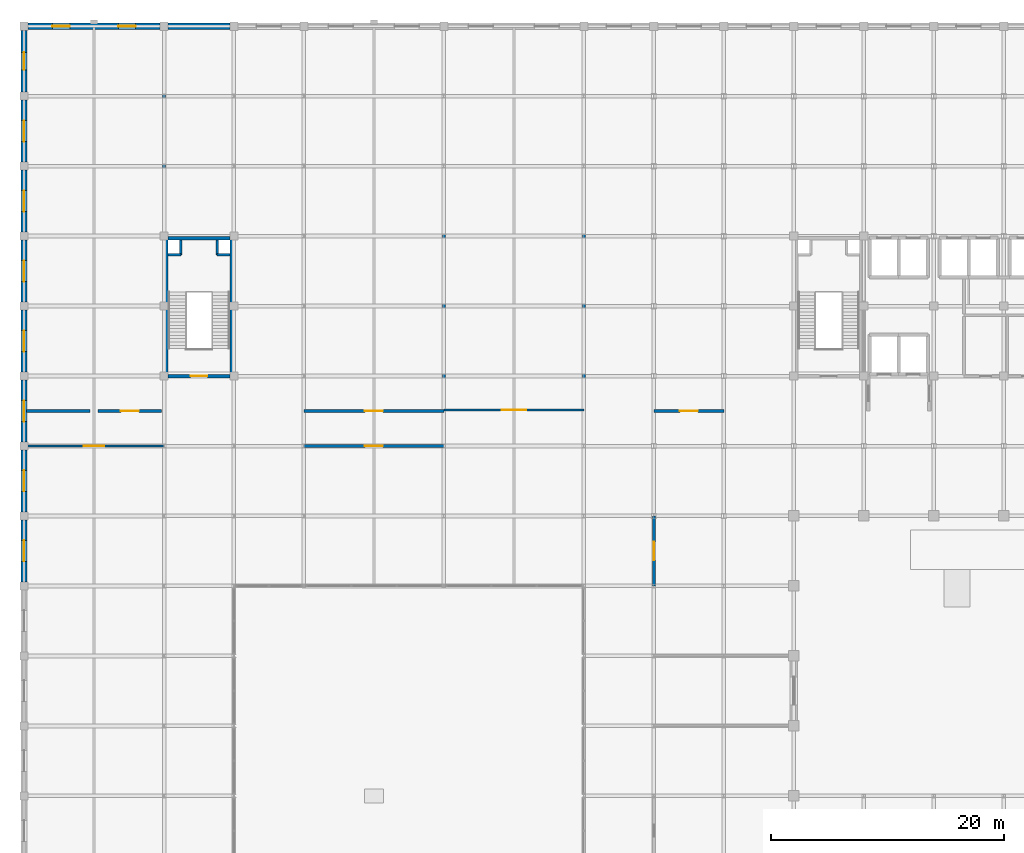
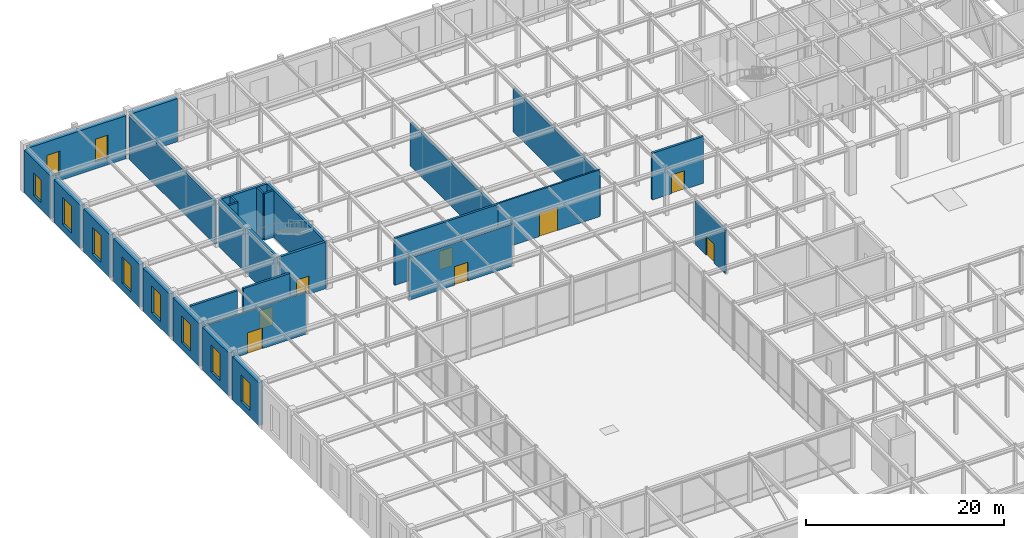
# One storey, part 100 of 108: 29 walls, 10 windows, 8 doors, 18 openings.
"""IFC4 building model written with IfcOpenShell, lengths in metres."""

from ifc_helpers import new_model, si_unit, direction, frame, frame_2d, origin, place, context, subcontext, project, spatial, rectangle, extrude, material, layer, layer_set, type_object, element, fill, save


model = new_model("IFC4")

# Units and contexts
model_context = context("Model", 3, precision=1e-05, world=origin(), true_north=direction((0.0, 1.0)))
body_context = subcontext(model_context, "Body", "Model", "MODEL_VIEW")
ifc_project = project(units=[si_unit("LENGTHUNIT", "METRE"), si_unit("AREAUNIT", "SQUARE_METRE"), si_unit("VOLUMEUNIT", "CUBIC_METRE"), si_unit("PLANEANGLEUNIT", "RADIAN"), si_unit("MASSUNIT", "GRAM", prefix="KILO")], contexts=[model_context])

# Site, building, storey
site_placement = place(None, origin())
site = spatial("IfcSite", under=ifc_project, at=site_placement, CompositionType="ELEMENT")
building_placement = place(site_placement, origin())
building = spatial("IfcBuilding", under=site, at=building_placement, Name="Zlatovratsky Civic Hall", CompositionType="ELEMENT")
storey_placement = place(building_placement, frame((0.0, 0.0, 6.0)))
storey = spatial("IfcBuildingStorey", under=building, at=storey_placement, Name="L02", CompositionType="ELEMENT", Elevation=6.0)

# Wall, opening, door
ifc_material_1 = material(Name="Acoustic ceramic blockwork", Category="masonry")
ifc_layer_1 = layer(ifc_material_1, 0.179931640625)
ifc_layer_set_1 = layer_set([ifc_layer_1], Name="Acoustic ceramic blockwork")
wall_type_1 = type_object("IfcWallType", Name="Wall_AcousticChamberPartition_180", PredefinedType="PARTITIONING", material=ifc_layer_set_1)
wall_1_placement = place(storey_placement, frame((0.0, 78.0, 0.0), z_axis=(0.0, 0.0, 1.0), x_axis=(1.0, 0.0, 0.0)))
wall_1 = element("IfcWall", 1, at=wall_1_placement, inside=storey, type_object=wall_type_1, Name="WL-6125", PredefinedType="PARTITIONING", context=body_context, shape_type="SweptSolid", body=[
    extrude(rectangle(XDim=12.0, YDim=0.179931640625, at=frame_2d((6.0, 0.0))), origin(), (0.0, 0.0, 1.0), 5.177978515625),
])
opening_1_placement = place(wall_1_placement, frame((5.125, 0.0, 0.0)))
opening_1 = element("IfcOpeningElement", 2, at=opening_1_placement, cuts=wall_1, Name="Opening D-13", PredefinedType="OPENING", context=body_context, shape_type="SweptSolid", body=[
    extrude(rectangle(XDim=1.75, YDim=2.550048828125, at=frame_2d((0.875, 1.27490234375))), frame((0.0, 0.10498046875, 0.0), z_axis=(0.0, -1.0, 0.0), x_axis=(1.0, 0.0, 0.0)), (0.0, 0.0, 1.0), 0.209716796875),
])
ifc_material_2 = material(Name="Solid oak joinery in steel frame", Category="steel")
door_type_1 = type_object("IfcDoorType", Name="Door_CommitteeSuiteDouble_1750x2550", OperationType="DOUBLE_DOOR_SINGLE_SWING", PredefinedType="DOOR", material=ifc_material_2)
door_1_placement = place(opening_1_placement, origin())
door_1 = element("IfcDoor", 3, at=door_1_placement, inside=storey, type_object=door_type_1, Name="DR-5266", OperationType="DOUBLE_DOOR_SINGLE_SWING", OverallHeight=2.550048828125, OverallWidth=1.75, PredefinedType="DOOR", context=body_context, shape_type="SweptSolid", body=[
    extrude(rectangle(XDim=1.75, YDim=2.550048828125, at=frame_2d((0.875, 1.27490234375))), frame((0.0, 0.02490234375, 0.0), z_axis=(0.0, -1.0, 0.0), x_axis=(1.0, 0.0, 0.0)), (0.0, 0.0, 1.0), 0.050048828125),
])
fill(opening_1, door_1)

wall_2_placement = place(storey_placement, frame((36.0, 81.10009765625, 0.0), z_axis=(0.0, 0.0, 1.0), x_axis=(1.0, 0.0, 0.0)))
wall_2 = element("IfcWall", 4, at=wall_2_placement, inside=storey, type_object=wall_type_1, Name="WL-6127", PredefinedType="PARTITIONING", context=body_context, shape_type="SweptSolid", body=[
    extrude(rectangle(XDim=12.0, YDim=0.179931640625, at=frame_2d((6.0, 0.0))), origin(), (0.0, 0.0, 1.0), 5.760009765625),
])
opening_2_placement = place(wall_2_placement, frame((4.949951171875, 0.0, 0.0)))
opening_2 = element("IfcOpeningElement", 5, at=opening_2_placement, cuts=wall_2, Name="Opening D-11", PredefinedType="OPENING", context=body_context, shape_type="SweptSolid", body=[
    extrude(rectangle(XDim=2.10009765625, YDim=2.89990234375, at=frame_2d((1.050048828125, 1.449951171875))), frame((0.0, 0.10498046875, 0.0), z_axis=(0.0, -1.0, 0.0), x_axis=(1.0, 0.0, 0.0)), (0.0, 0.0, 1.0), 0.209716796875),
])
door_type_2 = type_object("IfcDoorType", Name="Door_ChamberFoyerDouble_2100x2900", OperationType="DOUBLE_DOOR_SINGLE_SWING", PredefinedType="DOOR", material=ifc_material_2)
door_2_placement = place(opening_2_placement, origin())
door_2 = element("IfcDoor", 6, at=door_2_placement, inside=storey, type_object=door_type_2, Name="DR-5268", OperationType="DOUBLE_DOOR_SINGLE_SWING", OverallHeight=2.89990234375, OverallWidth=2.10009765625, PredefinedType="DOOR", context=body_context, shape_type="SweptSolid", body=[
    extrude(rectangle(XDim=2.10009765625, YDim=2.89990234375, at=frame_2d((1.050048828125, 1.449951171875))), frame((0.0, 0.02490234375, 0.0), z_axis=(0.0, -1.0, 0.0), x_axis=(1.0, 0.0, 0.0)), (0.0, 0.0, 1.0), 0.050048828125),
])
fill(opening_2, door_2)

ifc_layer_2 = layer(ifc_material_1, 0.260009765625)
ifc_layer_set_2 = layer_set([ifc_layer_2], Name="Acoustic ceramic blockwork")
wall_type_2 = type_object("IfcWallType", Name="Wall_ArchiveCompartment_260", PredefinedType="PARTITIONING", material=ifc_layer_set_2)
wall_3_placement = place(storey_placement, frame((24.0, 78.0, 0.0), z_axis=(0.0, 0.0, 1.0), x_axis=(1.0, 0.0, 0.0)))
wall_3 = element("IfcWall", 7, at=wall_3_placement, inside=storey, type_object=wall_type_2, Name="WL-6131", PredefinedType="PARTITIONING", context=body_context, shape_type="SweptSolid", body=[
    extrude(rectangle(XDim=12.0, YDim=0.260009765625, at=frame_2d((6.0, 0.0))), origin(), (0.0, 0.0, 1.0), 5.177978515625),
])
opening_3_placement = place(wall_3_placement, frame((5.22509765625, 0.0, 0.0)))
opening_3 = element("IfcOpeningElement", 8, at=opening_3_placement, cuts=wall_3, Name="Opening D-15", PredefinedType="OPENING", context=body_context, shape_type="SweptSolid", body=[
    extrude(rectangle(XDim=1.550048828125, YDim=2.300048828125, at=frame_2d((0.77490234375, 1.14990234375))), frame((0.0, 0.14501953125, 0.0), z_axis=(0.0, -1.0, 0.0), x_axis=(1.0, 0.0, 0.0)), (0.0, 0.0, 1.0), 0.289794921875),
])
ifc_material_3 = material(Name="Insulated painted fire-rated steel leaf", Category="steel")
door_type_3 = type_object("IfcDoorType", Name="Door_CompactArchiveFire_1550x2300", OperationType="DOUBLE_DOOR_SINGLE_SWING", PredefinedType="DOOR", material=ifc_material_3)
door_3_placement = place(opening_3_placement, origin())
door_3 = element("IfcDoor", 9, at=door_3_placement, inside=storey, type_object=door_type_3, Name="DR-5272", OperationType="DOUBLE_DOOR_SINGLE_SWING", OverallHeight=2.300048828125, OverallWidth=1.550048828125, PredefinedType="DOOR", context=body_context, shape_type="SweptSolid", body=[
    extrude(rectangle(XDim=1.550048828125, YDim=2.300048828125, at=frame_2d((0.77490234375, 1.14990234375))), frame((0.0, 0.02490234375, 0.0), z_axis=(0.0, -1.0, 0.0), x_axis=(1.0, 0.0, 0.0)), (0.0, 0.0, 1.0), 0.050048828125),
])
fill(opening_3, door_3)

wall_4_placement = place(storey_placement, frame((24.0, 81.0, 0.0), z_axis=(0.0, 0.0, 1.0), x_axis=(1.0, 0.0, 0.0)))
wall_4 = element("IfcWall", 10, at=wall_4_placement, inside=storey, type_object=wall_type_2, Name="WL-6133", PredefinedType="PARTITIONING", context=body_context, shape_type="SweptSolid", body=[
    extrude(rectangle(XDim=12.0, YDim=0.260009765625, at=frame_2d((6.0, 0.0))), origin(), (0.0, 0.0, 1.0), 5.760009765625),
])
opening_4_placement = place(wall_4_placement, frame((5.22509765625, 0.0, 0.0)))
opening_4 = element("IfcOpeningElement", 11, at=opening_4_placement, cuts=wall_4, Name="Opening D-15", PredefinedType="OPENING", context=body_context, shape_type="SweptSolid", body=[
    extrude(rectangle(XDim=1.550048828125, YDim=2.300048828125, at=frame_2d((0.77490234375, 1.14990234375))), frame((0.0, 0.14501953125, 0.0), z_axis=(0.0, -1.0, 0.0), x_axis=(1.0, 0.0, 0.0)), (0.0, 0.0, 1.0), 0.289794921875),
])
door_4_placement = place(opening_4_placement, origin())
door_4 = element("IfcDoor", 12, at=door_4_placement, inside=storey, type_object=door_type_3, Name="DR-5274", OperationType="DOUBLE_DOOR_SINGLE_SWING", OverallHeight=2.300048828125, OverallWidth=1.550048828125, PredefinedType="DOOR", context=body_context, shape_type="SweptSolid", body=[
    extrude(rectangle(XDim=1.550048828125, YDim=2.300048828125, at=frame_2d((0.77490234375, 1.14990234375))), frame((0.0, 0.02490234375, 0.0), z_axis=(0.0, -1.0, 0.0), x_axis=(1.0, 0.0, 0.0)), (0.0, 0.0, 1.0), 0.050048828125),
])
fill(opening_4, door_4)

wall_5_placement = place(storey_placement, frame((54.0, 81.0, 0.0), z_axis=(0.0, 0.0, 1.0), x_axis=(1.0, 0.0, 0.0)))
wall_5 = element("IfcWall", 13, at=wall_5_placement, inside=storey, type_object=wall_type_2, Name="WL-6134", PredefinedType="PARTITIONING", context=body_context, shape_type="SweptSolid", body=[
    extrude(rectangle(XDim=6.0, YDim=0.260009765625, at=frame_2d((3.0, 0.0))), origin(), (0.0, 0.0, 1.0), 5.760009765625),
])
opening_5_placement = place(wall_5_placement, frame((2.22509765625, 0.0, 0.0)))
opening_5 = element("IfcOpeningElement", 14, at=opening_5_placement, cuts=wall_5, Name="Opening D-15", PredefinedType="OPENING", context=body_context, shape_type="SweptSolid", body=[
    extrude(rectangle(XDim=1.550048828125, YDim=2.300048828125, at=frame_2d((0.77490234375, 1.14990234375))), frame((0.0, 0.14501953125, 0.0), z_axis=(0.0, -1.0, 0.0), x_axis=(1.0, 0.0, 0.0)), (0.0, 0.0, 1.0), 0.289794921875),
])
door_5_placement = place(opening_5_placement, origin())
door_5 = element("IfcDoor", 15, at=door_5_placement, inside=storey, type_object=door_type_3, Name="DR-5275", OperationType="DOUBLE_DOOR_SINGLE_SWING", OverallHeight=2.300048828125, OverallWidth=1.550048828125, PredefinedType="DOOR", context=body_context, shape_type="SweptSolid", body=[
    extrude(rectangle(XDim=1.550048828125, YDim=2.300048828125, at=frame_2d((0.77490234375, 1.14990234375))), frame((0.0, 0.02490234375, 0.0), z_axis=(0.0, -1.0, 0.0), x_axis=(1.0, 0.0, 0.0)), (0.0, 0.0, 1.0), 0.050048828125),
])
fill(opening_5, door_5)

wall_6_placement = place(storey_placement, frame((54.0, 66.0, 0.0), z_axis=(0.0, 0.0, 1.0), x_axis=(0.0, 1.0, 0.0)))
wall_6 = element("IfcWall", 16, at=wall_6_placement, inside=storey, type_object=wall_type_2, Name="WL-6138", PredefinedType="PARTITIONING", context=body_context, shape_type="SweptSolid", body=[
    extrude(rectangle(XDim=6.0, YDim=0.260009765625, at=frame_2d((3.0, 0.0))), origin(), (0.0, 0.0, 1.0), 5.320068359375),
])
opening_6_placement = place(wall_6_placement, frame((2.22509765625, 0.0, 0.0)))
opening_6 = element("IfcOpeningElement", 17, at=opening_6_placement, cuts=wall_6, Name="Opening D-15", PredefinedType="OPENING", context=body_context, shape_type="SweptSolid", body=[
    extrude(rectangle(XDim=1.550048828125, YDim=2.300048828125, at=frame_2d((0.77490234375, 1.14990234375))), frame((0.0, 0.14501953125, 0.0), z_axis=(0.0, -1.0, 0.0), x_axis=(1.0, 0.0, 0.0)), (0.0, 0.0, 1.0), 0.289794921875),
])
door_6_placement = place(opening_6_placement, origin())
door_6 = element("IfcDoor", 18, at=door_6_placement, inside=storey, type_object=door_type_3, Name="DR-5279", OperationType="DOUBLE_DOOR_SINGLE_SWING", OverallHeight=2.300048828125, OverallWidth=1.550048828125, PredefinedType="DOOR", context=body_context, shape_type="SweptSolid", body=[
    extrude(rectangle(XDim=1.550048828125, YDim=2.300048828125, at=frame_2d((0.77490234375, 1.14990234375))), frame((0.0, 0.02490234375, 0.0), z_axis=(0.0, -1.0, 0.0), x_axis=(1.0, 0.0, 0.0)), (0.0, 0.0, 1.0), 0.050048828125),
])
fill(opening_6, door_6)

wall_7_placement = place(storey_placement, frame((6.35009765625, 81.0, 0.0), z_axis=(0.0, 0.0, 1.0), x_axis=(1.0, 0.0, 0.0)))
wall_7 = element("IfcWall", 19, at=wall_7_placement, inside=storey, type_object=wall_type_2, Name="WL-6141", PredefinedType="PARTITIONING", context=body_context, shape_type="SweptSolid", body=[
    extrude(rectangle(XDim=5.449951171875, YDim=0.260009765625, at=frame_2d((2.72509765625, 0.0))), origin(), (0.0, 0.0, 1.0), 5.760009765625),
])
opening_7_placement = place(wall_7_placement, frame((1.949951171875, 0.0, 0.0)))
opening_7 = element("IfcOpeningElement", 20, at=opening_7_placement, cuts=wall_7, Name="Opening D-15", PredefinedType="OPENING", context=body_context, shape_type="SweptSolid", body=[
    extrude(rectangle(XDim=1.550048828125, YDim=2.300048828125, at=frame_2d((0.77490234375, 1.14990234375))), frame((0.0, 0.14501953125, 0.0), z_axis=(0.0, -1.0, 0.0), x_axis=(1.0, 0.0, 0.0)), (0.0, 0.0, 1.0), 0.289794921875),
])
door_7_placement = place(opening_7_placement, origin())
door_7 = element("IfcDoor", 21, at=door_7_placement, inside=storey, type_object=door_type_3, Name="DR-5282", OperationType="DOUBLE_DOOR_SINGLE_SWING", OverallHeight=2.300048828125, OverallWidth=1.550048828125, PredefinedType="DOOR", context=body_context, shape_type="SweptSolid", body=[
    extrude(rectangle(XDim=1.550048828125, YDim=2.300048828125, at=frame_2d((0.77490234375, 1.14990234375))), frame((0.0, 0.02490234375, 0.0), z_axis=(0.0, -1.0, 0.0), x_axis=(1.0, 0.0, 0.0)), (0.0, 0.0, 1.0), 0.050048828125),
])
fill(opening_7, door_7)

# Walls
for number, where, z_axis, x_axis, name in (
    (22, (36.0, 81.14990234375, 0.0), (0.0, 0.0, 1.0), (0.0, 1.0, 0.0), "WL-6143"),
    (23, (48.0, 81.14990234375, 0.0), (0.0, 0.0, 1.0), (0.0, 1.0, 0.0), "WL-6144"),
):
    element("IfcWall", number, at=place(storey_placement, frame(where, z_axis=z_axis, x_axis=x_axis)), inside=storey, type_object=wall_type_2, Name=name, PredefinedType="PARTITIONING", context=body_context, shape_type="SweptSolid", body=[
        extrude(rectangle(XDim=17.2001953125, YDim=0.260009765625, at=frame_2d((8.60009765625, 0.0))), origin(), (0.0, 0.0, 1.0), 5.320068359375),
    ])
wall_8_placement = place(storey_placement, frame((0.199951171875, 81.0, 0.0), z_axis=(0.0, 0.0, 1.0), x_axis=(1.0, 0.0, 0.0)))
element("IfcWall", 24, at=wall_8_placement, inside=storey, type_object=wall_type_2, Name="WL-6151", PredefinedType="PARTITIONING", context=body_context, shape_type="SweptSolid", body=[
    extrude(rectangle(XDim=5.449951171875, YDim=0.260009765625, at=frame_2d((2.72509765625, 0.0))), origin(), (0.0, 0.0, 1.0), 5.760009765625),
])
wall_9_placement = place(storey_placement, frame((12.0, 96.199951171875, 0.0), z_axis=(0.0, 0.0, 1.0), x_axis=(0.0, 1.0, 0.0)))
element("IfcWall", 25, at=wall_9_placement, inside=storey, type_object=wall_type_2, Name="WL-6153", PredefinedType="PARTITIONING", context=body_context, shape_type="SweptSolid", body=[
    extrude(rectangle(XDim=17.300048828125, YDim=0.260009765625, at=frame_2d((8.64990234375, 0.0))), origin(), (0.0, 0.0, 1.0), 5.320068359375),
])

# Wall, openings, windows
ifc_layer_3 = layer(ifc_material_1, 0.39990234375, Name="Backing")
ifc_material_4 = material(Name="Polished Karelian granite ashlar", Category="masonry")
ifc_layer_4 = layer(ifc_material_4, 0.139892578125, Name="Finish")
ifc_layer_set_3 = layer_set([ifc_layer_3, ifc_layer_4], Name="Acoustic ceramic blockwork")
wall_type_3 = type_object("IfcWallType", Name="Wall_PodiumGraniteArcade_540", PredefinedType="SOLIDWALL", material=ifc_layer_set_3)
wall_10_placement = place(storey_placement, frame((0.35009765625, 114.0, 0.0), z_axis=(0.0, 0.0, 1.0), x_axis=(1.0, 0.0, 0.0)))
wall_10 = element("IfcWall", 26, at=wall_10_placement, inside=storey, type_object=wall_type_3, Name="WL-0185", PredefinedType="SOLIDWALL", context=body_context, shape_type="SweptSolid", body=[
    extrude(rectangle(XDim=11.2998046875, YDim=0.5400390625, at=frame_2d((5.64990234375, 0.0))), origin(), (0.0, 0.0, 1.0), 5.31005859375),
])
opening_8_placement = place(wall_10_placement, frame((2.074951171875, 0.0, 0.85009765625)))
opening_8 = element("IfcOpeningElement", 27, at=opening_8_placement, cuts=wall_10, Name="Opening WN-27", PredefinedType="OPENING", context=body_context, shape_type="SweptSolid", body=[
    extrude(rectangle(XDim=1.5, YDim=2.800048828125, at=frame_2d((0.75, 1.39990234375))), frame((0.0, 0.284912109375, 0.0), z_axis=(0.0, -1.0, 0.0), x_axis=(1.0, 0.0, 0.0)), (0.0, 0.0, 1.0), 0.56982421875),
])
opening_9_placement = place(wall_10_placement, frame((7.72509765625, 0.0, 0.85009765625)))
opening_9 = element("IfcOpeningElement", 28, at=opening_9_placement, cuts=wall_10, Name="Opening WN-27", PredefinedType="OPENING", context=body_context, shape_type="SweptSolid", body=[
    extrude(rectangle(XDim=1.5, YDim=2.800048828125, at=frame_2d((0.75, 1.39990234375))), frame((0.0, 0.284912109375, 0.0), z_axis=(0.0, -1.0, 0.0), x_axis=(1.0, 0.0, 0.0)), (0.0, 0.0, 1.0), 0.56982421875),
])
ifc_material_5 = material(Name="Low-E laminated double glazing", Category="glass")
window_type_1 = type_object("IfcWindowType", Name="Window_CornerBastionPodium_1500x2800", PartitioningType="SINGLE_PANEL", PredefinedType="WINDOW", material=ifc_material_5)
window_1_placement = place(opening_8_placement, origin())
window_1 = element("IfcWindow", 29, at=window_1_placement, inside=storey, type_object=window_type_1, Name="WN-0101", OverallHeight=2.800048828125, OverallWidth=1.5, PartitioningType="SINGLE_PANEL", PredefinedType="WINDOW", context=body_context, shape_type="SweptSolid", body=[
    extrude(rectangle(XDim=1.5, YDim=2.800048828125, at=frame_2d((0.75, 1.39990234375))), frame((0.0, 0.030029296875, 0.0), z_axis=(0.0, -1.0, 0.0), x_axis=(1.0, 0.0, 0.0)), (0.0, 0.0, 1.0), 0.06005859375),
])
fill(opening_8, window_1)
window_2_placement = place(opening_9_placement, origin())
window_2 = element("IfcWindow", 30, at=window_2_placement, inside=storey, type_object=window_type_1, Name="WN-0102", OverallHeight=2.800048828125, OverallWidth=1.5, PartitioningType="SINGLE_PANEL", PredefinedType="WINDOW", context=body_context, shape_type="SweptSolid", body=[
    extrude(rectangle(XDim=1.5, YDim=2.800048828125, at=frame_2d((0.75, 1.39990234375))), frame((0.0, 0.030029296875, 0.0), z_axis=(0.0, -1.0, 0.0), x_axis=(1.0, 0.0, 0.0)), (0.0, 0.0, 1.0), 0.06005859375),
])
fill(opening_9, window_2)

# Wall
wall_11_placement = place(storey_placement, frame((12.35009765625, 114.0, 0.0), z_axis=(0.0, 0.0, 1.0), x_axis=(1.0, 0.0, 0.0)))
element("IfcWall", 31, at=wall_11_placement, inside=storey, type_object=wall_type_3, Name="WL-0186", PredefinedType="SOLIDWALL", context=body_context, shape_type="SweptSolid", body=[
    extrude(rectangle(XDim=5.2998046875, YDim=0.5400390625, at=frame_2d((2.64990234375, 0.0))), origin(), (0.0, 0.0, 1.0), 5.31005859375),
])

# Wall, opening, window
wall_12_placement = place(storey_placement, frame((0.0, 66.35009765625, 0.0), z_axis=(0.0, 0.0, 1.0), x_axis=(0.0, 1.0, 0.0)))
wall_12 = element("IfcWall", 32, at=wall_12_placement, inside=storey, type_object=wall_type_3, Name="WL-0216", PredefinedType="SOLIDWALL", context=body_context, shape_type="SweptSolid", body=[
    extrude(rectangle(XDim=5.2998046875, YDim=0.5400390625, at=frame_2d((2.64990234375, 0.0))), origin(), (0.0, 0.0, 1.0), 5.31005859375),
])
opening_10_placement = place(wall_12_placement, frame((1.75, 0.0, 0.85009765625)))
opening_10 = element("IfcOpeningElement", 33, at=opening_10_placement, cuts=wall_12, Name="Opening WN-06", PredefinedType="OPENING", context=body_context, shape_type="SweptSolid", body=[
    extrude(rectangle(XDim=1.800048828125, YDim=3.300048828125, at=frame_2d((0.89990234375, 1.64990234375))), frame((0.0, 0.284912109375, 0.0), z_axis=(0.0, -1.0, 0.0), x_axis=(1.0, 0.0, 0.0)), (0.0, 0.0, 1.0), 0.56982421875),
])
window_type_2 = type_object("IfcWindowType", Name="Window_PianoNobileCourt_1800x3300", PartitioningType="SINGLE_PANEL", PredefinedType="WINDOW", material=ifc_material_5)
window_3_placement = place(opening_10_placement, origin())
window_3 = element("IfcWindow", 34, at=window_3_placement, inside=storey, type_object=window_type_2, Name="WN-0138", OverallHeight=3.300048828125, OverallWidth=1.800048828125, PartitioningType="SINGLE_PANEL", PredefinedType="WINDOW", context=body_context, shape_type="SweptSolid", body=[
    extrude(rectangle(XDim=1.800048828125, YDim=3.300048828125, at=frame_2d((0.89990234375, 1.64990234375))), frame((0.0, 0.030029296875, 0.0), z_axis=(0.0, -1.0, 0.0), x_axis=(1.0, 0.0, 0.0)), (0.0, 0.0, 1.0), 0.06005859375),
])
fill(opening_10, window_3)

wall_13_placement = place(storey_placement, frame((0.0, 72.35009765625, 0.0), z_axis=(0.0, 0.0, 1.0), x_axis=(0.0, 1.0, 0.0)))
wall_13 = element("IfcWall", 35, at=wall_13_placement, inside=storey, type_object=wall_type_3, Name="WL-0217", PredefinedType="SOLIDWALL", context=body_context, shape_type="SweptSolid", body=[
    extrude(rectangle(XDim=5.2998046875, YDim=0.5400390625, at=frame_2d((2.64990234375, 0.0))), origin(), (0.0, 0.0, 1.0), 5.31005859375),
])
opening_11_placement = place(wall_13_placement, frame((1.75, 0.0, 0.85009765625)))
opening_11 = element("IfcOpeningElement", 36, at=opening_11_placement, cuts=wall_13, Name="Opening WN-06", PredefinedType="OPENING", context=body_context, shape_type="SweptSolid", body=[
    extrude(rectangle(XDim=1.800048828125, YDim=3.300048828125, at=frame_2d((0.89990234375, 1.64990234375))), frame((0.0, 0.284912109375, 0.0), z_axis=(0.0, -1.0, 0.0), x_axis=(1.0, 0.0, 0.0)), (0.0, 0.0, 1.0), 0.56982421875),
])
window_4_placement = place(opening_11_placement, origin())
window_4 = element("IfcWindow", 37, at=window_4_placement, inside=storey, type_object=window_type_2, Name="WN-0139", OverallHeight=3.300048828125, OverallWidth=1.800048828125, PartitioningType="SINGLE_PANEL", PredefinedType="WINDOW", context=body_context, shape_type="SweptSolid", body=[
    extrude(rectangle(XDim=1.800048828125, YDim=3.300048828125, at=frame_2d((0.89990234375, 1.64990234375))), frame((0.0, 0.030029296875, 0.0), z_axis=(0.0, -1.0, 0.0), x_axis=(1.0, 0.0, 0.0)), (0.0, 0.0, 1.0), 0.06005859375),
])
fill(opening_11, window_4)

wall_14_placement = place(storey_placement, frame((0.0, 78.35009765625, 0.0), z_axis=(0.0, 0.0, 1.0), x_axis=(0.0, 1.0, 0.0)))
wall_14 = element("IfcWall", 38, at=wall_14_placement, inside=storey, type_object=wall_type_3, Name="WL-0218", PredefinedType="SOLIDWALL", context=body_context, shape_type="SweptSolid", body=[
    extrude(rectangle(XDim=5.2998046875, YDim=0.5400390625, at=frame_2d((2.64990234375, 0.0))), origin(), (0.0, 0.0, 1.0), 5.31005859375),
])
opening_12_placement = place(wall_14_placement, frame((1.75, 0.0, 0.85009765625)))
opening_12 = element("IfcOpeningElement", 39, at=opening_12_placement, cuts=wall_14, Name="Opening WN-06", PredefinedType="OPENING", context=body_context, shape_type="SweptSolid", body=[
    extrude(rectangle(XDim=1.800048828125, YDim=3.300048828125, at=frame_2d((0.89990234375, 1.64990234375))), frame((0.0, 0.284912109375, 0.0), z_axis=(0.0, -1.0, 0.0), x_axis=(1.0, 0.0, 0.0)), (0.0, 0.0, 1.0), 0.56982421875),
])
window_5_placement = place(opening_12_placement, origin())
window_5 = element("IfcWindow", 40, at=window_5_placement, inside=storey, type_object=window_type_2, Name="WN-0140", OverallHeight=3.300048828125, OverallWidth=1.800048828125, PartitioningType="SINGLE_PANEL", PredefinedType="WINDOW", context=body_context, shape_type="SweptSolid", body=[
    extrude(rectangle(XDim=1.800048828125, YDim=3.300048828125, at=frame_2d((0.89990234375, 1.64990234375))), frame((0.0, 0.030029296875, 0.0), z_axis=(0.0, -1.0, 0.0), x_axis=(1.0, 0.0, 0.0)), (0.0, 0.0, 1.0), 0.06005859375),
])
fill(opening_12, window_5)

wall_15_placement = place(storey_placement, frame((0.0, 84.35009765625, 0.0), z_axis=(0.0, 0.0, 1.0), x_axis=(0.0, 1.0, 0.0)))
wall_15 = element("IfcWall", 41, at=wall_15_placement, inside=storey, type_object=wall_type_3, Name="WL-0219", PredefinedType="SOLIDWALL", context=body_context, shape_type="SweptSolid", body=[
    extrude(rectangle(XDim=5.2998046875, YDim=0.5400390625, at=frame_2d((2.64990234375, 0.0))), origin(), (0.0, 0.0, 1.0), 5.31005859375),
])
opening_13_placement = place(wall_15_placement, frame((1.75, 0.0, 0.85009765625)))
opening_13 = element("IfcOpeningElement", 42, at=opening_13_placement, cuts=wall_15, Name="Opening WN-06", PredefinedType="OPENING", context=body_context, shape_type="SweptSolid", body=[
    extrude(rectangle(XDim=1.800048828125, YDim=3.300048828125, at=frame_2d((0.89990234375, 1.64990234375))), frame((0.0, 0.284912109375, 0.0), z_axis=(0.0, -1.0, 0.0), x_axis=(1.0, 0.0, 0.0)), (0.0, 0.0, 1.0), 0.56982421875),
])
window_6_placement = place(opening_13_placement, origin())
window_6 = element("IfcWindow", 43, at=window_6_placement, inside=storey, type_object=window_type_2, Name="WN-0141", OverallHeight=3.300048828125, OverallWidth=1.800048828125, PartitioningType="SINGLE_PANEL", PredefinedType="WINDOW", context=body_context, shape_type="SweptSolid", body=[
    extrude(rectangle(XDim=1.800048828125, YDim=3.300048828125, at=frame_2d((0.89990234375, 1.64990234375))), frame((0.0, 0.030029296875, 0.0), z_axis=(0.0, -1.0, 0.0), x_axis=(1.0, 0.0, 0.0)), (0.0, 0.0, 1.0), 0.06005859375),
])
fill(opening_13, window_6)

wall_16_placement = place(storey_placement, frame((0.0, 90.35009765625, 0.0), z_axis=(0.0, 0.0, 1.0), x_axis=(0.0, 1.0, 0.0)))
wall_16 = element("IfcWall", 44, at=wall_16_placement, inside=storey, type_object=wall_type_3, Name="WL-0220", PredefinedType="SOLIDWALL", context=body_context, shape_type="SweptSolid", body=[
    extrude(rectangle(XDim=5.2998046875, YDim=0.5400390625, at=frame_2d((2.64990234375, 0.0))), origin(), (0.0, 0.0, 1.0), 5.31005859375),
])
opening_14_placement = place(wall_16_placement, frame((1.75, 0.0, 0.85009765625)))
opening_14 = element("IfcOpeningElement", 45, at=opening_14_placement, cuts=wall_16, Name="Opening WN-06", PredefinedType="OPENING", context=body_context, shape_type="SweptSolid", body=[
    extrude(rectangle(XDim=1.800048828125, YDim=3.300048828125, at=frame_2d((0.89990234375, 1.64990234375))), frame((0.0, 0.284912109375, 0.0), z_axis=(0.0, -1.0, 0.0), x_axis=(1.0, 0.0, 0.0)), (0.0, 0.0, 1.0), 0.56982421875),
])
window_7_placement = place(opening_14_placement, origin())
window_7 = element("IfcWindow", 46, at=window_7_placement, inside=storey, type_object=window_type_2, Name="WN-0142", OverallHeight=3.300048828125, OverallWidth=1.800048828125, PartitioningType="SINGLE_PANEL", PredefinedType="WINDOW", context=body_context, shape_type="SweptSolid", body=[
    extrude(rectangle(XDim=1.800048828125, YDim=3.300048828125, at=frame_2d((0.89990234375, 1.64990234375))), frame((0.0, 0.030029296875, 0.0), z_axis=(0.0, -1.0, 0.0), x_axis=(1.0, 0.0, 0.0)), (0.0, 0.0, 1.0), 0.06005859375),
])
fill(opening_14, window_7)

wall_17_placement = place(storey_placement, frame((0.0, 96.35009765625, 0.0), z_axis=(0.0, 0.0, 1.0), x_axis=(0.0, 1.0, 0.0)))
wall_17 = element("IfcWall", 47, at=wall_17_placement, inside=storey, type_object=wall_type_3, Name="WL-0221", PredefinedType="SOLIDWALL", context=body_context, shape_type="SweptSolid", body=[
    extrude(rectangle(XDim=5.2998046875, YDim=0.5400390625, at=frame_2d((2.64990234375, 0.0))), origin(), (0.0, 0.0, 1.0), 5.31005859375),
])
opening_15_placement = place(wall_17_placement, frame((1.75, 0.0, 0.85009765625)))
opening_15 = element("IfcOpeningElement", 48, at=opening_15_placement, cuts=wall_17, Name="Opening WN-06", PredefinedType="OPENING", context=body_context, shape_type="SweptSolid", body=[
    extrude(rectangle(XDim=1.800048828125, YDim=3.300048828125, at=frame_2d((0.89990234375, 1.64990234375))), frame((0.0, 0.284912109375, 0.0), z_axis=(0.0, -1.0, 0.0), x_axis=(1.0, 0.0, 0.0)), (0.0, 0.0, 1.0), 0.56982421875),
])
window_8_placement = place(opening_15_placement, origin())
window_8 = element("IfcWindow", 49, at=window_8_placement, inside=storey, type_object=window_type_2, Name="WN-0143", OverallHeight=3.300048828125, OverallWidth=1.800048828125, PartitioningType="SINGLE_PANEL", PredefinedType="WINDOW", context=body_context, shape_type="SweptSolid", body=[
    extrude(rectangle(XDim=1.800048828125, YDim=3.300048828125, at=frame_2d((0.89990234375, 1.64990234375))), frame((0.0, 0.030029296875, 0.0), z_axis=(0.0, -1.0, 0.0), x_axis=(1.0, 0.0, 0.0)), (0.0, 0.0, 1.0), 0.06005859375),
])
fill(opening_15, window_8)

wall_18_placement = place(storey_placement, frame((0.0, 102.35009765625, 0.0), z_axis=(0.0, 0.0, 1.0), x_axis=(0.0, 1.0, 0.0)))
wall_18 = element("IfcWall", 50, at=wall_18_placement, inside=storey, type_object=wall_type_3, Name="WL-0222", PredefinedType="SOLIDWALL", context=body_context, shape_type="SweptSolid", body=[
    extrude(rectangle(XDim=5.2998046875, YDim=0.5400390625, at=frame_2d((2.64990234375, 0.0))), origin(), (0.0, 0.0, 1.0), 5.31005859375),
])
opening_16_placement = place(wall_18_placement, frame((1.75, 0.0, 0.85009765625)))
opening_16 = element("IfcOpeningElement", 51, at=opening_16_placement, cuts=wall_18, Name="Opening WN-06", PredefinedType="OPENING", context=body_context, shape_type="SweptSolid", body=[
    extrude(rectangle(XDim=1.800048828125, YDim=3.300048828125, at=frame_2d((0.89990234375, 1.64990234375))), frame((0.0, 0.284912109375, 0.0), z_axis=(0.0, -1.0, 0.0), x_axis=(1.0, 0.0, 0.0)), (0.0, 0.0, 1.0), 0.56982421875),
])
window_9_placement = place(opening_16_placement, origin())
window_9 = element("IfcWindow", 52, at=window_9_placement, inside=storey, type_object=window_type_2, Name="WN-0144", OverallHeight=3.300048828125, OverallWidth=1.800048828125, PartitioningType="SINGLE_PANEL", PredefinedType="WINDOW", context=body_context, shape_type="SweptSolid", body=[
    extrude(rectangle(XDim=1.800048828125, YDim=3.300048828125, at=frame_2d((0.89990234375, 1.64990234375))), frame((0.0, 0.030029296875, 0.0), z_axis=(0.0, -1.0, 0.0), x_axis=(1.0, 0.0, 0.0)), (0.0, 0.0, 1.0), 0.06005859375),
])
fill(opening_16, window_9)

wall_19_placement = place(storey_placement, frame((0.0, 108.35009765625, 0.0), z_axis=(0.0, 0.0, 1.0), x_axis=(0.0, 1.0, 0.0)))
wall_19 = element("IfcWall", 53, at=wall_19_placement, inside=storey, type_object=wall_type_3, Name="WL-0223", PredefinedType="SOLIDWALL", context=body_context, shape_type="SweptSolid", body=[
    extrude(rectangle(XDim=5.2998046875, YDim=0.5400390625, at=frame_2d((2.64990234375, 0.0))), origin(), (0.0, 0.0, 1.0), 5.31005859375),
])
opening_17_placement = place(wall_19_placement, frame((1.89990234375, 0.0, 0.85009765625)))
opening_17 = element("IfcOpeningElement", 54, at=opening_17_placement, cuts=wall_19, Name="Opening WN-27", PredefinedType="OPENING", context=body_context, shape_type="SweptSolid", body=[
    extrude(rectangle(XDim=1.5, YDim=2.800048828125, at=frame_2d((0.75, 1.39990234375))), frame((0.0, 0.284912109375, 0.0), z_axis=(0.0, -1.0, 0.0), x_axis=(1.0, 0.0, 0.0)), (0.0, 0.0, 1.0), 0.56982421875),
])
window_10_placement = place(opening_17_placement, origin())
window_10 = element("IfcWindow", 55, at=window_10_placement, inside=storey, type_object=window_type_1, Name="WN-0145", OverallHeight=2.800048828125, OverallWidth=1.5, PartitioningType="SINGLE_PANEL", PredefinedType="WINDOW", context=body_context, shape_type="SweptSolid", body=[
    extrude(rectangle(XDim=1.5, YDim=2.800048828125, at=frame_2d((0.75, 1.39990234375))), frame((0.0, 0.030029296875, 0.0), z_axis=(0.0, -1.0, 0.0), x_axis=(1.0, 0.0, 0.0)), (0.0, 0.0, 1.0), 0.06005859375),
])
fill(opening_17, window_10)

# Walls
ifc_layer_5 = layer(ifc_material_1, 0.219970703125)
ifc_layer_set_4 = layer_set([ifc_layer_5], Name="Acoustic ceramic blockwork")
wall_type_4 = type_object("IfcWallType", Name="Wall_SanitaryWetCore_220", PredefinedType="PARTITIONING", material=ifc_layer_set_4)
wall_20_placement = place(storey_placement, frame((13.449951171875, 94.39990234375, 0.0), z_axis=(0.0, 0.0, 1.0), x_axis=(0.0, 1.0, 0.0)))
element("IfcWall", 56, at=wall_20_placement, inside=storey, type_object=wall_type_4, Name="WL-5409", PredefinedType="PARTITIONING", context=body_context, shape_type="SweptSolid", body=[
    extrude(rectangle(XDim=1.25, YDim=0.219970703125, at=frame_2d((0.625, 0.0))), origin(), (0.0, 0.0, 1.0), 5.760009765625),
])
wall_21_placement = place(storey_placement, frame((12.35009765625, 94.39990234375, 0.0), z_axis=(0.0, 0.0, 1.0), x_axis=(1.0, 0.0, 0.0)))
element("IfcWall", 57, at=wall_21_placement, inside=storey, type_object=wall_type_4, Name="WL-5410", PredefinedType="PARTITIONING", context=body_context, shape_type="SweptSolid", body=[
    extrude(rectangle(XDim=1.099853515625, YDim=0.219970703125, at=frame_2d((0.5498046875, 0.0))), origin(), (0.0, 0.0, 1.0), 5.760009765625),
])
wall_22_placement = place(storey_placement, frame((16.550048828125, 94.39990234375, 0.0), z_axis=(0.0, 0.0, 1.0), x_axis=(0.0, 1.0, 0.0)))
element("IfcWall", 58, at=wall_22_placement, inside=storey, type_object=wall_type_4, Name="WL-5411", PredefinedType="PARTITIONING", context=body_context, shape_type="SweptSolid", body=[
    extrude(rectangle(XDim=1.25, YDim=0.219970703125, at=frame_2d((0.625, 0.0))), origin(), (0.0, 0.0, 1.0), 5.760009765625),
])
wall_23_placement = place(storey_placement, frame((16.550048828125, 94.39990234375, 0.0), z_axis=(0.0, 0.0, 1.0), x_axis=(1.0, 0.0, 0.0)))
element("IfcWall", 59, at=wall_23_placement, inside=storey, type_object=wall_type_4, Name="WL-5412", PredefinedType="PARTITIONING", context=body_context, shape_type="SweptSolid", body=[
    extrude(rectangle(XDim=1.099853515625, YDim=0.219970703125, at=frame_2d((0.5498046875, 0.0))), origin(), (0.0, 0.0, 1.0), 5.760009765625),
])

# Wall, opening, door
ifc_material_6 = material(Name="Concrete C35/45 (B40)", Category="concrete")
ifc_layer_6 = layer(ifc_material_6, 0.300048828125)
ifc_layer_set_5 = layer_set([ifc_layer_6], Name="Concrete C35/45 (B40)")
wall_type_5 = type_object("IfcWallType", Name="Wall_StairAndLiftShaft_300", PredefinedType="SHEAR", material=ifc_layer_set_5)
wall_24_placement = place(storey_placement, frame((12.35009765625, 84.0, 0.0), z_axis=(0.0, 0.0, 1.0), x_axis=(1.0, 0.0, 0.0)))
wall_24 = element("IfcWall", 60, at=wall_24_placement, inside=storey, type_object=wall_type_5, Name="WL-5405", PredefinedType="SHEAR", context=body_context, shape_type="SweptSolid", body=[
    extrude(rectangle(XDim=5.2998046875, YDim=0.300048828125, at=frame_2d((2.64990234375, 0.0))), origin(), (0.0, 0.0, 1.0), 5.760009765625),
])
opening_18_placement = place(wall_24_placement, frame((1.925048828125, 0.0, 0.0)))
opening_18 = element("IfcOpeningElement", 61, at=opening_18_placement, cuts=wall_24, Name="Opening D-16", PredefinedType="OPENING", context=body_context, shape_type="SweptSolid", body=[
    extrude(rectangle(XDim=1.449951171875, YDim=2.25, at=frame_2d((0.72509765625, 1.125))), frame((0.0, 0.1650390625, 0.0), z_axis=(0.0, -1.0, 0.0), x_axis=(1.0, 0.0, 0.0)), (0.0, 0.0, 1.0), 0.329833984375),
])
door_type_4 = type_object("IfcDoorType", Name="Door_StairwellFirePodium_1450x2250", OperationType="NOTDEFINED", PredefinedType="DOOR", material=ifc_material_3)
door_8_placement = place(opening_18_placement, origin())
door_8 = element("IfcDoor", 62, at=door_8_placement, inside=storey, type_object=door_type_4, Name="DR-5051", OperationType="SINGLE_SWING_LEFT", OverallHeight=2.25, OverallWidth=1.449951171875, PredefinedType="DOOR", context=body_context, shape_type="SweptSolid", body=[
    extrude(rectangle(XDim=1.449951171875, YDim=2.25, at=frame_2d((0.72509765625, 1.125))), frame((0.0, 0.02490234375, 0.0), z_axis=(0.0, -1.0, 0.0), x_axis=(1.0, 0.0, 0.0)), (0.0, 0.0, 1.0), 0.050048828125),
])
fill(opening_18, door_8)

# Walls
wall_25_placement = place(storey_placement, frame((12.35009765625, 95.800048828125, 0.0), z_axis=(0.0, 0.0, 1.0), x_axis=(1.0, 0.0, 0.0)))
element("IfcWall", 63, at=wall_25_placement, inside=storey, type_object=wall_type_5, Name="WL-5406", PredefinedType="SHEAR", context=body_context, shape_type="SweptSolid", body=[
    extrude(rectangle(XDim=5.2998046875, YDim=0.300048828125, at=frame_2d((2.64990234375, 0.0))), origin(), (0.0, 0.0, 1.0), 5.760009765625),
])
for number, where, z_axis, x_axis, name in (
    (64, (12.199951171875, 84.0, 0.0), (0.0, 0.0, 1.0), (0.0, 1.0, 0.0), "WL-5407"),
    (65, (17.800048828125, 84.0, 0.0), (0.0, 0.0, 1.0), (0.0, 1.0, 0.0), "WL-5408"),
):
    element("IfcWall", number, at=place(storey_placement, frame(where, z_axis=z_axis, x_axis=x_axis)), inside=storey, type_object=wall_type_5, Name=name, PredefinedType="SHEAR", context=body_context, shape_type="SweptSolid", body=[
        extrude(rectangle(XDim=11.800048828125, YDim=0.300048828125, at=frame_2d((5.89990234375, 0.0))), origin(), (0.0, 0.0, 1.0), 5.760009765625),
    ])

save(model, "model.ifc")
